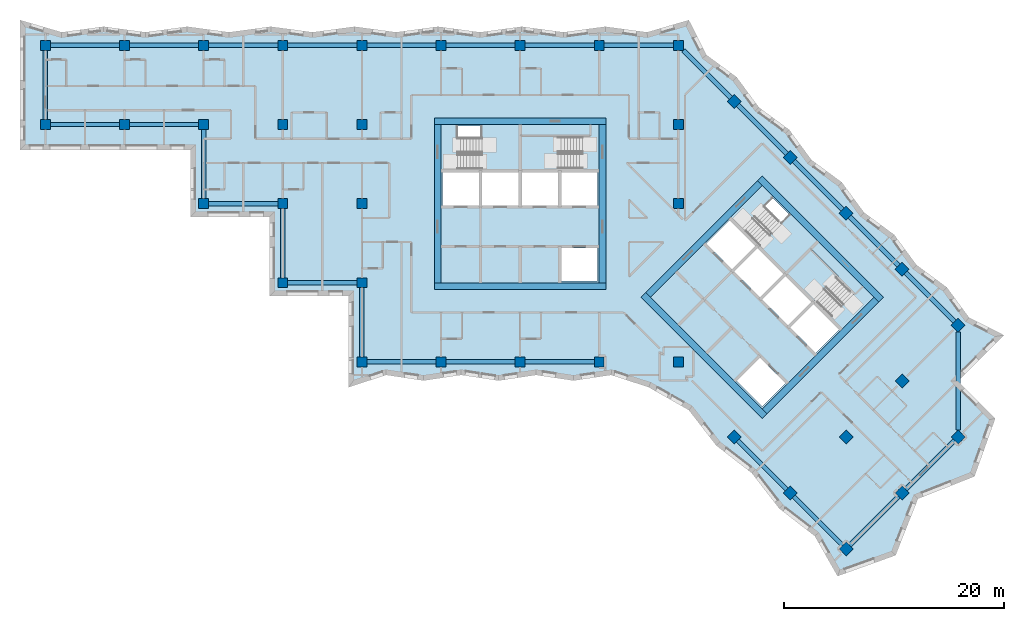
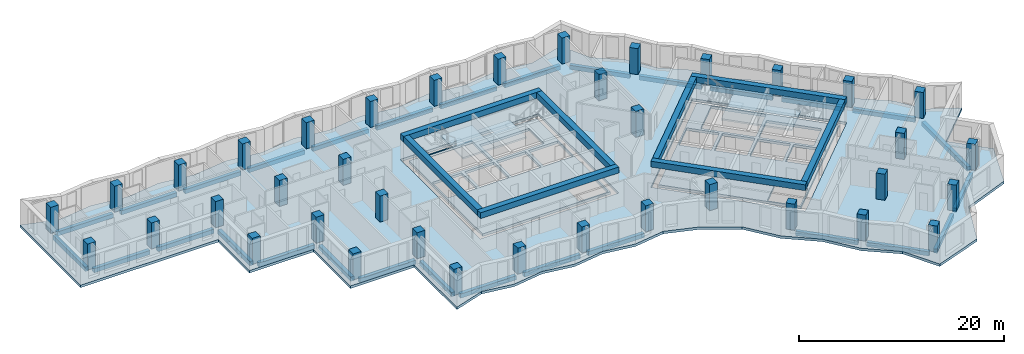
# One storey, part 1 of 12: 38 columns, 37 beams, 7 slabs, 16 openings, 4 elements without a shape of their own.
"""IFC4 building model written with IfcOpenShell, lengths in metres."""

from ifc_helpers import new_model, si_unit, direction, frame, origin, origin_2d, place, context, subcontext, project, spatial, polyline, rectangle, outline, extrude, material, layer, layer_set, material_profile, profile_set, type_object, element, aggregate, save


model = new_model("IFC4")

# Units and contexts
model_context = context("Model", 3, precision=1e-05, world=origin(), true_north=direction((0.0, 1.0)))
body_context = subcontext(model_context, "Body", "Model", "MODEL_VIEW")
ifc_project = project(units=[si_unit("LENGTHUNIT", "METRE"), si_unit("AREAUNIT", "SQUARE_METRE"), si_unit("VOLUMEUNIT", "CUBIC_METRE"), si_unit("PLANEANGLEUNIT", "RADIAN"), si_unit("MASSUNIT", "GRAM", prefix="KILO")], contexts=[model_context])

# Site, building, storey
site_placement = place(None, origin())
site = spatial("IfcSite", under=ifc_project, at=site_placement, CompositionType="ELEMENT")
building_placement = place(site_placement, origin())
building = spatial("IfcBuilding", under=site, at=building_placement, Name="Windrow Commons", CompositionType="ELEMENT")
storey_placement = place(building_placement, frame((0.0, 0.0, 159.2)))
storey = spatial("IfcBuildingStorey", under=building, at=storey_placement, Name="L43", CompositionType="ELEMENT", Elevation=159.2)

# Columns
ifc_material_1 = material(Name="Concrete C50/60", Category="concrete")
ifc_material_profile_1 = material_profile(ifc_material_1, rectangle(XDim=0.9, YDim=0.9, at=origin_2d()))
ifc_profile_set_1 = profile_set([ifc_material_profile_1], Name="Concrete C50/60")
column_type = type_object("IfcColumnType", Name="RC COLUMN 900x900 C50/60", PredefinedType="COLUMN", material=ifc_profile_set_1)
for number, where, z_axis, x_axis, name in (
    (1, (21.6, 64.8, 0.0), (0.0, 0.0, 1.0), (1.0, 0.0, 0.0), "C-Z3-04I"),
    (2, (21.6, 72.0, 0.0), (0.0, 0.0, 1.0), (1.0, 0.0, 0.0), "C-Z3-04J"),
    (3, (28.8, 64.8, 0.0), (0.0, 0.0, 1.0), (1.0, 0.0, 0.0), "C-Z3-05I"),
    (4, (28.8, 72.0, 0.0), (0.0, 0.0, 1.0), (1.0, 0.0, 0.0), "C-Z3-05J"),
    (5, (36.0, 57.6, 0.0), (0.0, 0.0, 1.0), (1.0, 0.0, 0.0), "C-Z3-06H"),
    (6, (36.0, 64.8, 0.0), (0.0, 0.0, 1.0), (1.0, 0.0, 0.0), "C-Z3-06I"),
    (7, (36.0, 72.0, 0.0), (0.0, 0.0, 1.0), (1.0, 0.0, 0.0), "C-Z3-06J"),
    (8, (43.2, 50.4, 0.0), (0.0, 0.0, 1.0), (1.0, 0.0, 0.0), "C-Z3-07G"),
    (9, (43.2, 57.6, 0.0), (0.0, 0.0, 1.0), (1.0, 0.0, 0.0), "C-Z3-07H"),
    (10, (43.2, 64.8, 0.0), (0.0, 0.0, 1.0), (1.0, 0.0, 0.0), "C-Z3-07I"),
    (11, (43.2, 72.0, 0.0), (0.0, 0.0, 1.0), (1.0, 0.0, 0.0), "C-Z3-07J"),
    (12, (50.4, 43.2, 0.0), (0.0, 0.0, 1.0), (1.0, 0.0, 0.0), "C-Z3-08F"),
    (13, (50.4, 50.4, 0.0), (0.0, 0.0, 1.0), (1.0, 0.0, 0.0), "C-Z3-08G"),
    (14, (50.4, 57.6, 0.0), (0.0, 0.0, 1.0), (1.0, 0.0, 0.0), "C-Z3-08H"),
    (15, (50.4, 64.8, 0.0), (0.0, 0.0, 1.0), (1.0, 0.0, 0.0), "C-Z3-08I"),
    (16, (50.4, 72.0, 0.0), (0.0, 0.0, 1.0), (1.0, 0.0, 0.0), "C-Z3-08J"),
    (17, (57.6, 43.2, 0.0), (0.0, 0.0, 1.0), (1.0, 0.0, 0.0), "C-Z3-09F"),
    (18, (57.6, 72.0, 0.0), (0.0, 0.0, 1.0), (1.0, 0.0, 0.0), "C-Z3-09J"),
    (19, (64.8, 43.2, 0.0), (0.0, 0.0, 1.0), (1.0, 0.0, 0.0), "C-Z3-10F"),
    (20, (64.8, 72.0, 0.0), (0.0, 0.0, 1.0), (1.0, 0.0, 0.0), "C-Z3-10J"),
    (21, (72.0, 43.2, 0.0), (0.0, 0.0, 1.0), (1.0, 0.0, 0.0), "C-Z3-11F"),
    (22, (72.0, 72.0, 0.0), (0.0, 0.0, 1.0), (1.0, 0.0, 0.0), "C-Z3-11J"),
    (23, (79.2, 43.2, 0.0), (0.0, 0.0, 1.0), (1.0, 0.0, 0.0), "C-Z3-12F"),
    (24, (79.2, 57.6, 0.0), (0.0, 0.0, 1.0), (1.0, 0.0, 0.0), "C-Z3-12H"),
    (25, (79.2, 64.8, 0.0), (0.0, 0.0, 1.0), (1.0, 0.0, 0.0), "C-Z3-12I"),
    (26, (79.2, 72.0, 0.0), (0.0, 0.0, 1.0), (1.0, 0.0, 0.0), "C-Z3-12J"),
    (27, (84.2912, 66.9088, 0.0), (0.0, 0.0, 1.0), (0.7071067812, -0.7071067812, 0.0), "C-Z3-P2Q"),
    (28, (89.3823, 61.8177, 0.0), (0.0, 0.0, 1.0), (0.7071067812, -0.7071067812, 0.0), "C-Z3-P3Q"),
    (29, (94.4735, 56.7265, 0.0), (0.0, 0.0, 1.0), (0.7071067812, -0.7071067812, 0.0), "C-Z3-P4Q"),
    (30, (99.5647, 51.6353, 0.0), (0.0, 0.0, 1.0), (0.7071067812, -0.7071067812, 0.0), "C-Z3-P5Q"),
    (31, (84.2912, 36.3618, 0.0), (0.0, 0.0, 1.0), (0.7071067812, -0.7071067812, 0.0), "C-Z3-P5T"),
    (32, (104.6558, 46.5442, 0.0), (0.0, 0.0, 1.0), (0.7071067812, -0.7071067812, 0.0), "C-Z3-P6Q"),
    (33, (99.5647, 41.453, 0.0), (0.0, 0.0, 1.0), (0.7071067812, -0.7071067812, 0.0), "C-Z3-P6R"),
    (34, (94.4735, 36.3618, 0.0), (0.0, 0.0, 1.0), (0.7071067812, -0.7071067812, 0.0), "C-Z3-P6S"),
    (35, (89.3823, 31.2706, 0.0), (0.0, 0.0, 1.0), (0.7071067812, -0.7071067812, 0.0), "C-Z3-P6T"),
    (36, (104.6558, 36.3618, 0.0), (0.0, 0.0, 1.0), (0.7071067812, -0.7071067812, 0.0), "C-Z3-P7R"),
    (37, (99.5647, 31.2706, 0.0), (0.0, 0.0, 1.0), (0.7071067812, -0.7071067812, 0.0), "C-Z3-P7S"),
    (38, (94.4735, 26.1795, 0.0), (0.0, 0.0, 1.0), (0.7071067812, -0.7071067812, 0.0), "C-Z3-P7T"),
):
    element("IfcColumn", number, at=place(storey_placement, frame(where, z_axis=z_axis, x_axis=x_axis)), inside=storey, type_object=column_type, Name=name, PredefinedType="COLUMN", context=body_context, shape_type="SweptSolid", body=[
        extrude(rectangle(XDim=0.9, YDim=0.9, at=origin_2d()), origin(), (0.0, 0.0, 1.0), 3.1),
    ])

# Beams
ifc_material_2 = material(Name="Concrete C50/60", Category="concrete")
ifc_material_profile_2 = material_profile(ifc_material_2, rectangle(XDim=0.6, YDim=0.7, at=origin_2d()))
ifc_profile_set_2 = profile_set([ifc_material_profile_2], Name="Concrete C50/60")
beam_type_1 = type_object("IfcBeamType", Name="RC COUPLING BEAM 600x700 C50/60", PredefinedType="LINTEL", material=ifc_profile_set_2)
for number, where, z_axis, x_axis, name in (
    (39, (57.0, 50.1, 2.75), (1.0, 0.0, 0.0), (0.0, 1.0, 0.0), "Core A coupling beam outer-S"),
    (40, (57.0, 65.1, 2.75), (1.0, 0.0, 0.0), (0.0, 1.0, 0.0), "Core A coupling beam outer-N"),
):
    element("IfcBeam", number, at=place(storey_placement, frame(where, z_axis=z_axis, x_axis=x_axis)), inside=storey, type_object=beam_type_1, Name=name, PredefinedType="LINTEL", context=body_context, shape_type="SweptSolid", body=[
        extrude(rectangle(XDim=0.6, YDim=0.7, at=origin_2d()), origin(), (0.0, 0.0, 1.0), 15.6),
    ])
for number, where, z_axis, x_axis, name in (
    (41, (57.3, 50.4, 2.75), (0.0, 1.0, 0.0), (-1.0, 0.0, 0.0), "Core A coupling beam outer-W"),
    (42, (72.3, 50.4, 2.75), (0.0, 1.0, 0.0), (-1.0, 0.0, 0.0), "Core A coupling beam outer-E"),
):
    element("IfcBeam", number, at=place(storey_placement, frame(where, z_axis=z_axis, x_axis=x_axis)), inside=storey, type_object=beam_type_1, Name=name, PredefinedType="LINTEL", context=body_context, shape_type="SweptSolid", body=[
        extrude(rectangle(XDim=0.6, YDim=0.7, at=origin_2d()), origin(), (0.0, 0.0, 1.0), 14.4),
    ])
for number, where, z_axis, x_axis, name in (
    (43, (76.018, 49.3019, 2.75), (0.7071067812, -0.7071067812, 0.0), (0.7071067812, 0.7071067812, 0.0), "Core B coupling beam outer-S"),
    (44, (86.6246, 59.9085, 2.75), (0.7071067812, -0.7071067812, 0.0), (0.7071067812, 0.7071067812, 0.0), "Core B coupling beam outer-N"),
):
    element("IfcBeam", number, at=place(storey_placement, frame(where, z_axis=z_axis, x_axis=x_axis)), inside=storey, type_object=beam_type_1, Name=name, PredefinedType="LINTEL", context=body_context, shape_type="SweptSolid", body=[
        extrude(rectangle(XDim=0.6, YDim=0.7, at=origin_2d()), origin(), (0.0, 0.0, 1.0), 15.6),
    ])
for number, where, z_axis, x_axis, name in (
    (45, (76.4423, 49.3019, 2.75), (0.7071067812, 0.7071067812, 0.0), (-0.7071067812, 0.7071067812, 0.0), "Core B coupling beam outer-W"),
    (46, (87.0489, 38.6953, 2.75), (0.7071067812, 0.7071067812, 0.0), (-0.7071067812, 0.7071067812, 0.0), "Core B coupling beam outer-E"),
):
    element("IfcBeam", number, at=place(storey_placement, frame(where, z_axis=z_axis, x_axis=x_axis)), inside=storey, type_object=beam_type_1, Name=name, PredefinedType="LINTEL", context=body_context, shape_type="SweptSolid", body=[
        extrude(rectangle(XDim=0.6, YDim=0.7, at=origin_2d()), origin(), (0.0, 0.0, 1.0), 14.3999),
    ])
ifc_material_3 = material(Name="Concrete C50/60", Category="concrete")
ifc_material_profile_3 = material_profile(ifc_material_3, rectangle(XDim=0.4, YDim=0.5, at=origin_2d()))
ifc_profile_set_3 = profile_set([ifc_material_profile_3], Name="Concrete C50/60")
beam_type_2 = type_object("IfcBeamType", Name="RC EDGE BEAM 400x500 C50/60", PredefinedType="SPANDREL", material=ifc_profile_set_3)
for number, where, z_axis, x_axis, name in (
    (47, (36.0, 58.05, -0.55), (0.0, 1.0, 0.0), (-1.0, 0.0, 0.0), "Edge beam L43 001"),
    (48, (35.55, 64.8, -0.55), (-1.0, 0.0, 0.0), (0.0, -1.0, 0.0), "Edge beam L43 002"),
    (49, (28.35, 64.8, -0.55), (-1.0, 0.0, 0.0), (0.0, -1.0, 0.0), "Edge beam L43 003"),
    (50, (21.6, 65.25, -0.55), (0.0, 1.0, 0.0), (-1.0, 0.0, 0.0), "Edge beam L43 004"),
    (51, (22.05, 72.0, -0.55), (1.0, 0.0, 0.0), (0.0, 1.0, 0.0), "Edge beam L43 005"),
    (52, (29.25, 72.0, -0.55), (1.0, 0.0, 0.0), (0.0, 1.0, 0.0), "Edge beam L43 006"),
    (53, (36.45, 72.0, -0.55), (1.0, 0.0, 0.0), (0.0, 1.0, 0.0), "Edge beam L43 007"),
    (54, (43.65, 72.0, -0.55), (1.0, 0.0, 0.0), (0.0, 1.0, 0.0), "Edge beam L43 008"),
    (55, (50.85, 72.0, -0.55), (1.0, 0.0, 0.0), (0.0, 1.0, 0.0), "Edge beam L43 009"),
    (56, (58.05, 72.0, -0.55), (1.0, 0.0, 0.0), (0.0, 1.0, 0.0), "Edge beam L43 010"),
    (57, (65.25, 72.0, -0.55), (1.0, 0.0, 0.0), (0.0, 1.0, 0.0), "Edge beam L43 011"),
    (58, (72.45, 72.0, -0.55), (1.0, 0.0, 0.0), (0.0, 1.0, 0.0), "Edge beam L43 012"),
):
    element("IfcBeam", number, at=place(storey_placement, frame(where, z_axis=z_axis, x_axis=x_axis)), inside=storey, type_object=beam_type_2, Name=name, PredefinedType="SPANDREL", context=body_context, shape_type="SweptSolid", body=[
        extrude(rectangle(XDim=0.4, YDim=0.5, at=origin_2d()), origin(), (0.0, 0.0, 1.0), 6.3),
    ])
beam_1_placement = place(storey_placement, frame((79.65, 71.55, -0.55), z_axis=(0.7071067812, -0.7071067812, 0.0), x_axis=(0.7071067812, 0.7071067812, 0.0)))
element("IfcBeam", 59, at=beam_1_placement, inside=storey, type_object=beam_type_2, Name="Edge beam L43 013", PredefinedType="SPANDREL", context=body_context, shape_type="SweptSolid", body=[
    extrude(rectangle(XDim=0.4, YDim=0.5, at=origin_2d()), origin(), (0.0, 0.0, 1.0), 6.1136),
])
beam_2_placement = place(storey_placement, frame((84.6094, 66.5906, -0.55), z_axis=(0.7071067812, -0.7071067812, 0.0), x_axis=(0.7071067812, 0.7071067812, 0.0)))
element("IfcBeam", 60, at=beam_2_placement, inside=storey, type_object=beam_type_2, Name="Edge beam L43 014", PredefinedType="SPANDREL", context=body_context, shape_type="SweptSolid", body=[
    extrude(rectangle(XDim=0.4, YDim=0.5, at=origin_2d()), origin(), (0.0, 0.0, 1.0), 6.2999),
])
for number, where, z_axis, x_axis, name in (
    (61, (89.7005, 61.4995, -0.55), (0.7071067812, -0.7071067812, 0.0), (0.7071067812, 0.7071067812, 0.0), "Edge beam L43 015"),
    (62, (94.7917, 56.4083, -0.55), (0.7071067812, -0.7071067812, 0.0), (0.7071067812, 0.7071067812, 0.0), "Edge beam L43 016"),
):
    element("IfcBeam", number, at=place(storey_placement, frame(where, z_axis=z_axis, x_axis=x_axis)), inside=storey, type_object=beam_type_2, Name=name, PredefinedType="SPANDREL", context=body_context, shape_type="SweptSolid", body=[
        extrude(rectangle(XDim=0.4, YDim=0.5, at=origin_2d()), origin(), (0.0, 0.0, 1.0), 6.3),
    ])
beam_3_placement = place(storey_placement, frame((99.8829, 51.3171, -0.55), z_axis=(0.7071067812, -0.7071067812, 0.0), x_axis=(0.7071067812, 0.7071067812, 0.0)))
element("IfcBeam", 63, at=beam_3_placement, inside=storey, type_object=beam_type_2, Name="Edge beam L43 017", PredefinedType="SPANDREL", context=body_context, shape_type="SweptSolid", body=[
    extrude(rectangle(XDim=0.4, YDim=0.5, at=origin_2d()), origin(), (0.0, 0.0, 1.0), 6.2999),
])
beam_4_placement = place(storey_placement, frame((104.6558, 45.9078, -0.55), z_axis=(0.0, -1.0, 0.0), x_axis=(1.0, 0.0, 0.0)))
element("IfcBeam", 64, at=beam_4_placement, inside=storey, type_object=beam_type_2, Name="Edge beam L43 018", PredefinedType="SPANDREL", context=body_context, shape_type="SweptSolid", body=[
    extrude(rectangle(XDim=0.4, YDim=0.5, at=origin_2d()), origin(), (0.0, 0.0, 1.0), 8.9096),
])
for number, where, z_axis, x_axis, name in (
    (65, (104.3376, 36.0436, -0.55), (-0.7070988446, -0.7071147177, 0.0), (0.7071147177, -0.7070988446, 0.0), "Edge beam L43 019"),
    (66, (99.2465, 30.9524, -0.55), (-0.7071147177, -0.7070988446, 0.0), (0.7070988446, -0.7071147177, 0.0), "Edge beam L43 020"),
    (67, (94.1553, 26.4977, -0.55), (-0.7071147177, 0.7070988446, 0.0), (-0.7070988446, -0.7071147177, 0.0), "Edge beam L43 021"),
    (68, (89.0641, 31.5888, -0.55), (-0.7070988446, 0.7071147177, 0.0), (-0.7071147177, -0.7070988446, 0.0), "Edge beam L43 022"),
    (69, (71.55, 43.2, -0.55), (-1.0, 0.0, 0.0), (0.0, -1.0, 0.0), "Edge beam L43 023"),
    (70, (64.35, 43.2, -0.55), (-1.0, 0.0, 0.0), (0.0, -1.0, 0.0), "Edge beam L43 024"),
    (71, (57.15, 43.2, -0.55), (-1.0, 0.0, 0.0), (0.0, -1.0, 0.0), "Edge beam L43 025"),
    (72, (50.4, 43.65, -0.55), (0.0, 1.0, 0.0), (-1.0, 0.0, 0.0), "Edge beam L43 026"),
    (73, (49.95, 50.4, -0.55), (-1.0, 0.0, 0.0), (0.0, -1.0, 0.0), "Edge beam L43 027"),
    (74, (43.2, 50.85, -0.55), (0.0, 1.0, 0.0), (-1.0, 0.0, 0.0), "Edge beam L43 028"),
    (75, (42.75, 57.6, -0.55), (-1.0, 0.0, 0.0), (0.0, -1.0, 0.0), "Edge beam L43 029"),
):
    element("IfcBeam", number, at=place(storey_placement, frame(where, z_axis=z_axis, x_axis=x_axis)), inside=storey, type_object=beam_type_2, Name=name, PredefinedType="SPANDREL", context=body_context, shape_type="SweptSolid", body=[
        extrude(rectangle(XDim=0.4, YDim=0.5, at=origin_2d()), origin(), (0.0, 0.0, 1.0), 6.3),
    ])

# Slab, openings
ifc_material_4 = material(Name="Concrete C50/60", Category="concrete")
ifc_layer_1 = layer(ifc_material_4, 0.3)
ifc_layer_set_1 = layer_set([ifc_layer_1], Name="CORE FLOOR SLAB 300 C50/60")
slab_type_1 = type_object("IfcSlabType", Name="CORE FLOOR SLAB 300 C50/60", PredefinedType="FLOOR", material=ifc_layer_set_1)
placement_1 = place(storey_placement, frame((0.0, 0.0, -0.3)))
slab_1 = element("IfcSlab", 76, at=placement_1, inside=storey, type_object=slab_type_1, Name="S-L43-core-A", PredefinedType="FLOOR", context=body_context, shape_type="SweptSolid", body=[
    extrude(outline(polyline([(57.6, 50.4), (72.0, 50.4), (72.0, 64.8), (57.6, 64.8), (57.6, 50.4)]), holes=[polyline([(68.55, 50.55), (71.85, 50.55), (71.85, 53.55), (68.55, 53.55), (68.55, 50.55)]), polyline([(57.75, 57.45), (61.05, 57.45), (61.05, 60.45), (57.75, 60.45), (57.75, 57.45)]), polyline([(61.35, 57.45), (64.65, 57.45), (64.65, 60.45), (61.35, 60.45), (61.35, 57.45)]), polyline([(64.95, 57.45), (68.25, 57.45), (68.25, 60.45), (64.95, 60.45), (64.95, 57.45)]), polyline([(68.55, 57.45), (71.85, 57.45), (71.85, 60.45), (68.55, 60.45), (68.55, 57.45)]), polyline([(59.1, 60.75), (64.65, 60.75), (64.65, 64.65), (59.1, 64.65), (59.1, 60.75)]), polyline([(64.95, 60.75), (70.5, 60.75), (70.5, 63.705), (64.95, 63.705), (64.95, 60.75)])]), origin(), (0.0, 0.0, 1.0), 0.3),
])
opening_1_placement = place(placement_1, origin())
element("IfcOpeningElement", 77, at=opening_1_placement, cuts=slab_1, Name="Slab opening S-L43-core-A 1", PredefinedType="OPENING", context=body_context, shape_type="SweptSolid", body=[
    extrude(outline(polyline([(68.555, 50.555), (68.555, 53.545), (71.845, 53.545), (71.845, 50.555), (68.555, 50.555)])), origin(), (0.0, 0.0, 1.0), 0.3),
])
opening_2_placement = place(placement_1, origin())
element("IfcOpeningElement", 78, at=opening_2_placement, cuts=slab_1, Name="Slab opening S-L43-core-A 2", PredefinedType="OPENING", context=body_context, shape_type="SweptSolid", body=[
    extrude(outline(polyline([(57.755, 57.455), (57.755, 60.445), (61.045, 60.445), (61.045, 57.455), (57.755, 57.455)])), origin(), (0.0, 0.0, 1.0), 0.3),
])
opening_3_placement = place(placement_1, origin())
element("IfcOpeningElement", 79, at=opening_3_placement, cuts=slab_1, Name="Slab opening S-L43-core-A 3", PredefinedType="OPENING", context=body_context, shape_type="SweptSolid", body=[
    extrude(outline(polyline([(61.355, 57.455), (61.355, 60.445), (64.645, 60.445), (64.645, 57.455), (61.355, 57.455)])), origin(), (0.0, 0.0, 1.0), 0.3),
])
opening_4_placement = place(placement_1, origin())
element("IfcOpeningElement", 80, at=opening_4_placement, cuts=slab_1, Name="Slab opening S-L43-core-A 4", PredefinedType="OPENING", context=body_context, shape_type="SweptSolid", body=[
    extrude(outline(polyline([(64.955, 57.455), (64.955, 60.445), (68.245, 60.445), (68.245, 57.455), (64.955, 57.455)])), origin(), (0.0, 0.0, 1.0), 0.3),
])
opening_5_placement = place(placement_1, origin())
element("IfcOpeningElement", 81, at=opening_5_placement, cuts=slab_1, Name="Slab opening S-L43-core-A 5", PredefinedType="OPENING", context=body_context, shape_type="SweptSolid", body=[
    extrude(outline(polyline([(68.555, 57.455), (68.555, 60.445), (71.845, 60.445), (71.845, 57.455), (68.555, 57.455)])), origin(), (0.0, 0.0, 1.0), 0.3),
])
opening_6_placement = place(placement_1, origin())
element("IfcOpeningElement", 82, at=opening_6_placement, cuts=slab_1, Name="Slab opening S-L43-core-A 6", PredefinedType="OPENING", context=body_context, shape_type="SweptSolid", body=[
    extrude(outline(polyline([(59.105, 60.755), (59.105, 64.645), (64.645, 64.645), (64.645, 60.755), (59.105, 60.755)])), origin(), (0.0, 0.0, 1.0), 0.3),
])
opening_7_placement = place(placement_1, origin())
element("IfcOpeningElement", 83, at=opening_7_placement, cuts=slab_1, Name="Slab opening S-L43-core-A 7", PredefinedType="OPENING", context=body_context, shape_type="SweptSolid", body=[
    extrude(outline(polyline([(64.955, 60.755), (64.955, 63.7), (70.495, 63.7), (70.495, 60.755), (64.955, 60.755)])), origin(), (0.0, 0.0, 1.0), 0.3),
])

slab_2 = element("IfcSlab", 84, at=placement_1, inside=storey, type_object=slab_type_1, Name="S-L43-core-B", PredefinedType="FLOOR", context=body_context, shape_type="SweptSolid", body=[
    extrude(outline(polyline([(76.6544, 49.0897), (86.8368, 38.9074), (97.0191, 49.0897), (86.8368, 59.2721), (76.6544, 49.0897)]), holes=[polyline([(84.5033, 41.453), (86.8368, 39.1195), (88.9581, 41.2409), (86.6246, 43.5743), (84.5033, 41.453)]), polyline([(81.7456, 53.9688), (84.079, 51.6353), (86.2004, 53.7566), (83.8669, 56.0901), (81.7456, 53.9688)]), polyline([(84.2912, 51.4232), (86.6246, 49.0897), (88.7459, 51.2111), (86.4125, 53.5445), (84.2912, 51.4232)]), polyline([(86.8368, 48.8776), (89.1702, 46.5442), (91.2915, 48.6655), (88.9581, 50.9989), (86.8368, 48.8776)]), polyline([(89.3823, 46.332), (91.7158, 43.9986), (93.8371, 46.1199), (91.5037, 48.4533), (89.3823, 46.332)]), polyline([(85.0336, 55.3476), (88.9581, 51.4232), (91.7158, 54.1809), (87.7913, 58.1054), (85.0336, 55.3476)]), polyline([(89.1702, 51.2111), (93.0946, 47.2866), (95.1841, 49.3761), (91.2597, 53.3006), (89.1702, 51.2111)])]), origin(), (0.0, 0.0, 1.0), 0.3),
])
opening_8_placement = place(placement_1, origin())
element("IfcOpeningElement", 85, at=opening_8_placement, cuts=slab_2, Name="Slab opening S-L43-core-B 1", PredefinedType="OPENING", context=body_context, shape_type="SweptSolid", body=[
    extrude(outline(polyline([(84.5104, 41.453), (86.6246, 43.5672), (88.951, 41.2409), (86.8368, 39.1266), (84.5104, 41.453)])), origin(), (0.0, 0.0, 1.0), 0.3),
])
opening_9_placement = place(placement_1, origin())
element("IfcOpeningElement", 86, at=opening_9_placement, cuts=slab_2, Name="Slab opening S-L43-core-B 2", PredefinedType="OPENING", context=body_context, shape_type="SweptSolid", body=[
    extrude(outline(polyline([(81.7527, 53.9688), (83.8669, 56.083), (86.1933, 53.7566), (84.079, 51.6424), (81.7527, 53.9688)])), origin(), (0.0, 0.0, 1.0), 0.3),
])
opening_10_placement = place(placement_1, origin())
element("IfcOpeningElement", 87, at=opening_10_placement, cuts=slab_2, Name="Slab opening S-L43-core-B 3", PredefinedType="OPENING", context=body_context, shape_type="SweptSolid", body=[
    extrude(outline(polyline([(84.2983, 51.4232), (86.4125, 53.5374), (88.7388, 51.2111), (86.6246, 49.0968), (84.2983, 51.4232)])), origin(), (0.0, 0.0, 1.0), 0.3),
])
opening_11_placement = place(placement_1, origin())
element("IfcOpeningElement", 88, at=opening_11_placement, cuts=slab_2, Name="Slab opening S-L43-core-B 4", PredefinedType="OPENING", context=body_context, shape_type="SweptSolid", body=[
    extrude(outline(polyline([(86.8439, 48.8776), (88.9581, 50.9918), (91.2844, 48.6655), (89.1702, 46.5513), (86.8439, 48.8776)])), origin(), (0.0, 0.0, 1.0), 0.3),
])
opening_12_placement = place(placement_1, origin())
element("IfcOpeningElement", 89, at=opening_12_placement, cuts=slab_2, Name="Slab opening S-L43-core-B 5", PredefinedType="OPENING", context=body_context, shape_type="SweptSolid", body=[
    extrude(outline(polyline([(89.3894, 46.332), (91.5037, 48.4462), (93.83, 46.1199), (91.7158, 44.0057), (89.3894, 46.332)])), origin(), (0.0, 0.0, 1.0), 0.3),
])
opening_13_placement = place(placement_1, origin())
element("IfcOpeningElement", 90, at=opening_13_placement, cuts=slab_2, Name="Slab opening S-L43-core-B 6", PredefinedType="OPENING", context=body_context, shape_type="SweptSolid", body=[
    extrude(outline(polyline([(85.0407, 55.3476), (87.7913, 58.0983), (91.7087, 54.1809), (88.9581, 51.4303), (85.0407, 55.3476)])), origin(), (0.0, 0.0, 1.0), 0.3),
])
opening_14_placement = place(placement_1, origin())
element("IfcOpeningElement", 91, at=opening_14_placement, cuts=slab_2, Name="Slab opening S-L43-core-B 7", PredefinedType="OPENING", context=body_context, shape_type="SweptSolid", body=[
    extrude(outline(polyline([(89.1773, 51.2111), (91.2597, 53.2935), (95.177, 49.3761), (93.0946, 47.2937), (89.1773, 51.2111)])), origin(), (0.0, 0.0, 1.0), 0.3),
])

# Stair, slab
ifc_material_5 = material(Name="Concrete C40/50", Category="concrete")
stair_type = type_object("IfcStairType", Name="Core stair", PredefinedType="HALF_TURN_STAIR", material=ifc_material_5)
placement_2 = place(storey_placement, origin())
stair_1 = element("IfcStair", 92, at=placement_2, inside=storey, type_object=stair_type, Name="L43 Exit stair A1 core A", PredefinedType="HALF_TURN_STAIR")
ifc_material_6 = material(Name="Concrete C40/50", Category="concrete")
ifc_layer_2 = layer(ifc_material_6, 0.2)
ifc_layer_set_2 = layer_set([ifc_layer_2], Name="Core stair landing")
slab_type_2 = type_object("IfcSlabType", Name="Core stair landing", PredefinedType="LANDING", material=ifc_layer_set_2)
placement_3 = place(storey_placement, frame((0.0, 0.0, 1.5)))
slab_3 = element("IfcSlab", 93, at=placement_3, type_object=slab_type_2, Name="ST-A1 landing 1", PredefinedType="LANDING", context=body_context, shape_type="SweptSolid", body=[
    extrude(outline(polyline([(61.22, 60.5), (64.8, 60.5), (64.8, 64.9), (61.22, 64.9), (61.22, 60.5)])), origin(), (0.0, 0.0, 1.0), 0.2),
])
aggregate(stair_1, [slab_3])

stair_2 = element("IfcStair", 94, at=placement_2, inside=storey, type_object=stair_type, Name="L43 Exit stair A2 core A", PredefinedType="HALF_TURN_STAIR")
slab_4 = element("IfcSlab", 95, at=placement_3, type_object=slab_type_2, Name="ST-A2 landing 1", PredefinedType="LANDING", context=body_context, shape_type="SweptSolid", body=[
    extrude(outline(polyline([(64.8, 60.5), (68.38, 60.5), (68.38, 63.855), (64.8, 63.855), (64.8, 60.5)])), origin(), (0.0, 0.0, 1.0), 0.2),
])
aggregate(stair_2, [slab_4])

stair_3 = element("IfcStair", 96, at=placement_2, inside=storey, type_object=stair_type, Name="L43 Exit stair B1 core B", PredefinedType="HALF_TURN_STAIR")
slab_5 = element("IfcSlab", 97, at=placement_3, type_object=slab_type_2, Name="ST-B1 landing 1", PredefinedType="LANDING", context=body_context, shape_type="SweptSolid", body=[
    extrude(outline(polyline([(86.3559, 53.6718), (88.8874, 51.1403), (91.9986, 54.2516), (89.4672, 56.7831), (86.3559, 53.6718)])), origin(), (0.0, 0.0, 1.0), 0.2),
])
aggregate(stair_3, [slab_5])

stair_4 = element("IfcStair", 98, at=placement_2, inside=storey, type_object=stair_type, Name="L43 Exit stair B2 core B", PredefinedType="HALF_TURN_STAIR")
slab_6 = element("IfcSlab", 99, at=placement_3, type_object=slab_type_2, Name="ST-B2 landing 1", PredefinedType="LANDING", context=body_context, shape_type="SweptSolid", body=[
    extrude(outline(polyline([(88.8874, 51.1403), (91.4188, 48.6089), (93.7911, 50.9812), (91.2597, 53.5127), (88.8874, 51.1403)])), origin(), (0.0, 0.0, 1.0), 0.2),
])
aggregate(stair_4, [slab_6])

# Slab, openings
ifc_material_7 = material(Name="Concrete C50/60", Category="concrete")
ifc_layer_3 = layer(ifc_material_7, 0.3)
ifc_layer_set_3 = layer_set([ifc_layer_3], Name="FLOOR SLAB 300 C50/60")
slab_type_3 = type_object("IfcSlabType", Name="FLOOR SLAB 300 C50/60", PredefinedType="FLOOR", material=ifc_layer_set_3)
slab_7 = element("IfcSlab", 100, at=placement_1, inside=storey, type_object=slab_type_3, Name="S-L43-floor", PredefinedType="FLOOR", context=body_context, shape_type="SweptSolid", body=[
    extrude(outline(polyline([(91.6082, 27.3477), (93.6872, 23.6961), (98.975, 25.5897), (101.01, 30.7361), (106.1564, 32.7711), (108.05, 38.0589), (104.6558, 41.453), (108.8363, 45.6334), (105.6601, 47.237), (103.6323, 49.9889), (100.8804, 52.0167), (98.8525, 54.7687), (96.1006, 56.7965), (94.0727, 59.5484), (91.3208, 61.5763), (89.293, 64.3282), (86.5411, 66.356), (84.5132, 69.108), (81.7613, 71.1358), (80.1577, 74.312), (76.3533, 73.2), (72.549, 73.712), (68.7446, 73.2), (64.9403, 73.712), (61.1359, 73.2), (57.3316, 73.712), (53.5272, 73.2), (49.7229, 73.712), (45.9185, 73.2), (42.1141, 73.712), (38.3098, 73.2), (34.5054, 73.712), (30.7011, 73.2), (26.8967, 73.712), (23.0924, 73.2), (19.288, 74.312), (19.288, 62.488), (34.8, 62.488), (34.8, 56.4), (42.0, 56.4), (42.0, 49.2), (49.2, 49.2), (49.2, 40.888), (52.6119, 42.0), (56.0238, 41.488), (59.4357, 42.0), (62.8476, 41.488), (66.2596, 42.0), (69.6715, 41.488), (73.0834, 42.0), (76.4953, 40.888), (80.1469, 38.809), (82.6502, 35.5816), (85.8775, 33.0784), (88.3808, 29.851), (91.6082, 27.3477)]), holes=[polyline([(75.8059, 49.0897), (86.8368, 60.1206), (97.8676, 49.0897), (86.8368, 38.0589), (75.8059, 49.0897)]), polyline([(57.0, 49.8), (57.0, 65.4), (72.6, 65.4), (72.6, 49.8), (57.0, 49.8)])]), origin(), (0.0, 0.0, 1.0), 0.3),
])
opening_15_placement = place(placement_1, origin())
element("IfcOpeningElement", 101, at=opening_15_placement, cuts=slab_7, Name="Slab opening S-L43-floor 1", PredefinedType="OPENING", context=body_context, shape_type="SweptSolid", body=[
    extrude(outline(polyline([(75.813, 49.0897), (86.8368, 60.1135), (97.8605, 49.0897), (86.8368, 38.066), (75.813, 49.0897)])), origin(), (0.0, 0.0, 1.0), 0.3),
])
opening_16_placement = place(placement_1, origin())
element("IfcOpeningElement", 102, at=opening_16_placement, cuts=slab_7, Name="Slab opening S-L43-floor 2", PredefinedType="OPENING", context=body_context, shape_type="SweptSolid", body=[
    extrude(outline(polyline([(57.005, 49.805), (57.005, 65.395), (72.595, 65.395), (72.595, 49.805), (57.005, 49.805)])), origin(), (0.0, 0.0, 1.0), 0.3),
])

save(model, "model.ifc")
